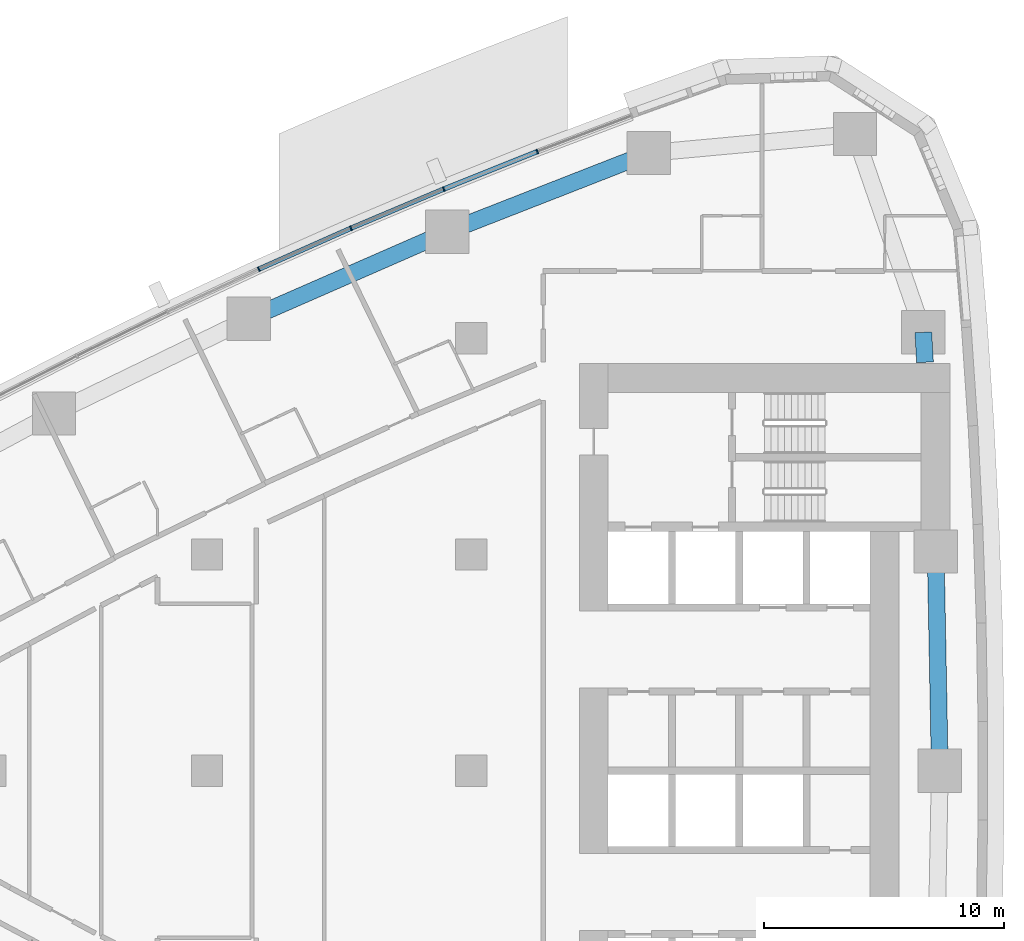
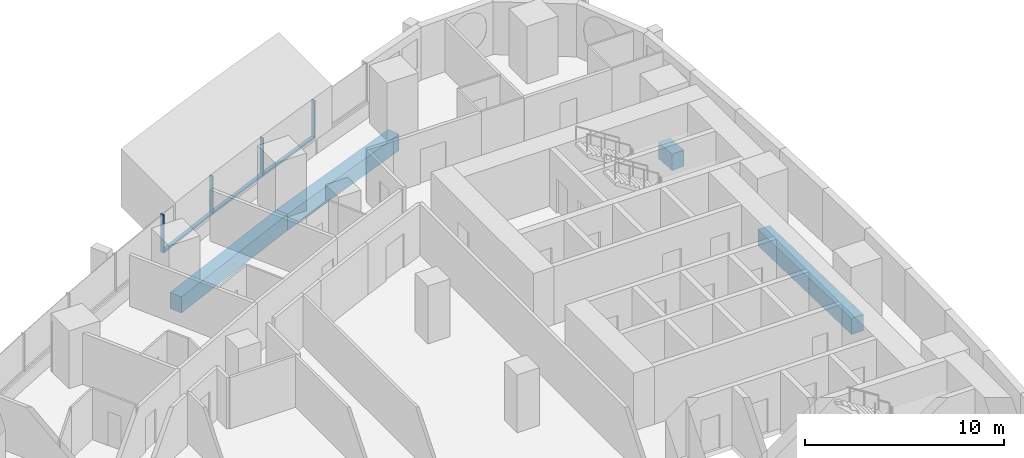
# One storey, part 6 of 19: 7 members, 4 beams, 2 elements without a shape of their own.
"""IFC4 building model written with IfcOpenShell, lengths in metres."""

from ifc_helpers import new_model, si_unit, direction, frame, origin, origin_2d, place, context, subcontext, project, spatial, rectangle, extrude, material, layer, layer_set, material_profile, profile_set, type_object, element, aggregate, save


model = new_model("IFC4")

# Units and contexts
model_context = context("Model", 3, precision=1e-05, world=origin(), true_north=direction((0.0, 1.0)))
body_context = subcontext(model_context, "Body", "Model", "MODEL_VIEW")
ifc_project = project(units=[si_unit("LENGTHUNIT", "METRE"), si_unit("AREAUNIT", "SQUARE_METRE"), si_unit("VOLUMEUNIT", "CUBIC_METRE"), si_unit("PLANEANGLEUNIT", "RADIAN"), si_unit("MASSUNIT", "GRAM", prefix="KILO")], contexts=[model_context])

# Site, building, storey
site_placement = place(None, origin())
site = spatial("IfcSite", under=ifc_project, at=site_placement, CompositionType="ELEMENT")
building_placement = place(site_placement, origin())
building = spatial("IfcBuilding", under=site, at=building_placement, Name="Ostrand Prow Hotel Tower", CompositionType="ELEMENT")
storey_placement = place(building_placement, frame((0.0, 0.0, 71.550048828125)))
storey = spatial("IfcBuildingStorey", under=building, at=storey_placement, Name="L16", CompositionType="ELEMENT", Elevation=71.550048828125)

# Beams
ifc_material_1 = material(Name="Concrete C80/95", Category="concrete")
ifc_material_profile_1 = material_profile(ifc_material_1, rectangle(XDim=0.699951171875, YDim=1.0, at=origin_2d()), Name="RC 700x1000")
ifc_profile_set_1 = profile_set([ifc_material_profile_1], Name="Concrete C80/95")
beam_type = type_object("IfcBeamType", Name="Edge beam 700x1000 C80/95", PredefinedType="SPANDREL", material=ifc_profile_set_1)
beam_1_placement = place(storey_placement, frame((64.5, 0.0, -0.800048828125), z_axis=(-0.018793471688, 0.999823387115, 0.0), x_axis=(-0.999823387115, -0.018793471688, 0.0)))
element("IfcBeam", 1, at=beam_1_placement, inside=storey, type_object=beam_type, Name="Edge beam B3-B4", PredefinedType="SPANDREL", context=body_context, shape_type="SweptSolid", body=[
    extrude(rectangle(XDim=0.699951171875, YDim=1.0, at=origin_2d()), origin(), (0.0, 0.0, 1.0), 9.132568359375),
])
beam_2_placement = place(storey_placement, frame((63.8837890625, 17.0, -0.800048828125), z_axis=(-0.056215946509, 0.998418633319, 0.0), x_axis=(-0.998418633319, -0.056215946509, 0.0)))
element("IfcBeam", 2, at=beam_2_placement, inside=storey, type_object=beam_type, Name="Edge beam B4-B5", PredefinedType="SPANDREL", context=body_context, shape_type="SweptSolid", body=[
    extrude(rectangle(XDim=0.699951171875, YDim=1.0, at=origin_2d()), origin(), (0.0, 0.0, 1.0), 1.250732421875),
])
for number, where, z_axis, x_axis, name in (
    (3, (52.3916015625, 25.710205078125, -0.800048828125), (-0.931329480916, -0.364177701098, 0.0), (0.364177701098, -0.931329480916, 0.0), "Edge beam N1-N2"),
    (4, (43.997802734375, 22.427978515625, -0.800048828125), (-0.916095776162, -0.400959510297, 0.0), (0.400959510297, -0.916095776162, 0.0), "Edge beam N2-N3"),
):
    element("IfcBeam", number, at=place(storey_placement, frame(where, z_axis=z_axis, x_axis=x_axis)), inside=storey, type_object=beam_type, Name=name, PredefinedType="SPANDREL", context=body_context, shape_type="SweptSolid", body=[
        extrude(rectangle(XDim=0.699951171875, YDim=1.0, at=origin_2d()), origin(), (0.0, 0.0, 1.0), 9.0126953125),
    ])

# Curtain wall, members
ifc_material_2 = material(Name="Insulated glass in bronze anodised frame", Category="glass")
ifc_layer = layer(ifc_material_2, 0.199951171875)
ifc_layer_set = layer_set([ifc_layer], Name="Insulated glass in bronze anodised frame")
curtain_wall_type = type_object("IfcCurtainWallType", Name="Strip curtain wall, fritted glass over bronze spandrel", PredefinedType="NOTDEFINED", material=ifc_layer_set)
curtain_wall_1_placement = place(storey_placement, origin())
curtain_wall_1 = element("IfcCurtainWall", 5, at=curtain_wall_1_placement, inside=storey, type_object=curtain_wall_type, Name="CW1 run CWN1", PredefinedType="NOTDEFINED")
ifc_material_3 = material(Name="Bronze anodised aluminium", Category="aluminium")
ifc_material_profile_2 = material_profile(ifc_material_3, rectangle(XDim=0.199951171875, YDim=0.06005859375, at=origin_2d()), Name="Mullion 60x200 bronze anodised aluminium")
ifc_profile_set_2 = profile_set([ifc_material_profile_2], Name="Bronze anodised aluminium")
member_type_1 = type_object("IfcMemberType", Name="Mullion 60x200 bronze anodised aluminium", PredefinedType="MULLION", material=ifc_profile_set_2)
member_1_placement = place(storey_placement, frame((47.7529296875, 25.769775390625, 0.89990234375), z_axis=(0.0, 0.0, 1.0), x_axis=(0.371873380669, -0.928283463577, 0.0)))
member_1 = element("IfcMember", 6, at=member_1_placement, type_object=member_type_1, Name="CW1 mullion 2", PredefinedType="MULLION", context=body_context, shape_type="SweptSolid", body=[
    extrude(rectangle(XDim=0.199951171875, YDim=0.06005859375, at=origin_2d()), origin(), (0.0, 0.0, 1.0), 2.35009765625),
])
member_2_placement = place(storey_placement, frame((43.859619140625, 24.210205078125, 0.89990234375), z_axis=(0.0, 0.0, 1.0), x_axis=(0.371873380669, -0.928283463577, 0.0)))
member_2 = element("IfcMember", 7, at=member_2_placement, type_object=member_type_1, Name="CW1 mullion 3", PredefinedType="MULLION", context=body_context, shape_type="SweptSolid", body=[
    extrude(rectangle(XDim=0.199951171875, YDim=0.06005859375, at=origin_2d()), origin(), (0.0, 0.0, 1.0), 2.35009765625),
])

curtain_wall_2_placement = place(storey_placement, origin())
curtain_wall_2 = element("IfcCurtainWall", 8, at=curtain_wall_2_placement, inside=storey, type_object=curtain_wall_type, Name="CW1 run CWN2", PredefinedType="NOTDEFINED")
member_3_placement = place(storey_placement, frame((39.99560546875, 22.5791015625, 0.89990234375), z_axis=(0.0, 0.0, 1.0), x_axis=(0.405779757666, -0.913970890274, 0.0)))
member_3 = element("IfcMember", 9, at=member_3_placement, type_object=member_type_1, Name="CW1 mullion 2", PredefinedType="MULLION", context=body_context, shape_type="SweptSolid", body=[
    extrude(rectangle(XDim=0.199951171875, YDim=0.06005859375, at=origin_2d()), origin(), (0.0, 0.0, 1.0), 2.35009765625),
])
member_4_placement = place(storey_placement, frame((36.162109375, 20.876953125, 0.89990234375), z_axis=(0.0, 0.0, 1.0), x_axis=(0.405779757666, -0.913970890274, 0.0)))
member_4 = element("IfcMember", 10, at=member_4_placement, type_object=member_type_1, Name="CW1 mullion 3", PredefinedType="MULLION", context=body_context, shape_type="SweptSolid", body=[
    extrude(rectangle(XDim=0.199951171875, YDim=0.06005859375, at=origin_2d()), origin(), (0.0, 0.0, 1.0), 2.35009765625),
])

# Member
ifc_material_4 = material(Name="Bronze anodised aluminium", Category="aluminium")
ifc_material_profile_3 = material_profile(ifc_material_4, rectangle(XDim=0.199951171875, YDim=0.1201171875, at=origin_2d()), Name="Transom 120x200 bronze anodised aluminium")
ifc_profile_set_3 = profile_set([ifc_material_profile_3], Name="Bronze anodised aluminium")
member_type_2 = type_object("IfcMemberType", Name="Transom 120x200 bronze anodised aluminium", PredefinedType="USERDEFINED", material=ifc_profile_set_3)
member_5_placement = place(storey_placement, frame((47.72509765625, 25.7587890625, 0.9599609375), z_axis=(-0.928264761225, -0.371920062739, 0.0), x_axis=(0.371920062739, -0.928264761225, 0.0)))
member_5 = element("IfcMember", 11, at=member_5_placement, type_object=member_type_2, Name="CW1 transom 2.1", ObjectType="TRANSOM", PredefinedType="USERDEFINED", context=body_context, shape_type="SweptSolid", body=[
    extrude(rectangle(XDim=0.199951171875, YDim=0.1201171875, at=origin_2d()), origin(), (0.0, 0.0, 1.0), 4.13427734375),
])

aggregate(curtain_wall_1, [member_1, member_2, member_5])

member_6_placement = place(storey_placement, frame((43.831787109375, 24.198486328125, 0.9599609375), z_axis=(-0.921284828297, -0.388888499637, 0.0), x_axis=(0.388888499637, -0.921284828297, 0.0)))
member_6 = element("IfcMember", 12, at=member_6_placement, type_object=member_type_2, Name="CW1 transom 1.1", ObjectType="TRANSOM", PredefinedType="USERDEFINED", context=body_context, shape_type="SweptSolid", body=[
    extrude(rectangle(XDim=0.199951171875, YDim=0.1201171875, at=origin_2d()), origin(), (0.0, 0.0, 1.0), 4.134033203125),
])

member_7_placement = place(storey_placement, frame((39.968017578125, 22.56689453125, 0.9599609375), z_axis=(-0.913957599094, -0.405809693156, 0.0), x_axis=(0.405809693156, -0.913957599094, 0.0)))
member_7 = element("IfcMember", 13, at=member_7_placement, type_object=member_type_2, Name="CW1 transom 2.1", ObjectType="TRANSOM", PredefinedType="USERDEFINED", context=body_context, shape_type="SweptSolid", body=[
    extrude(rectangle(XDim=0.199951171875, YDim=0.1201171875, at=origin_2d()), origin(), (0.0, 0.0, 1.0), 4.13427734375),
])

aggregate(curtain_wall_2, [member_3, member_4, member_6, member_7])

save(model, "model.ifc")
